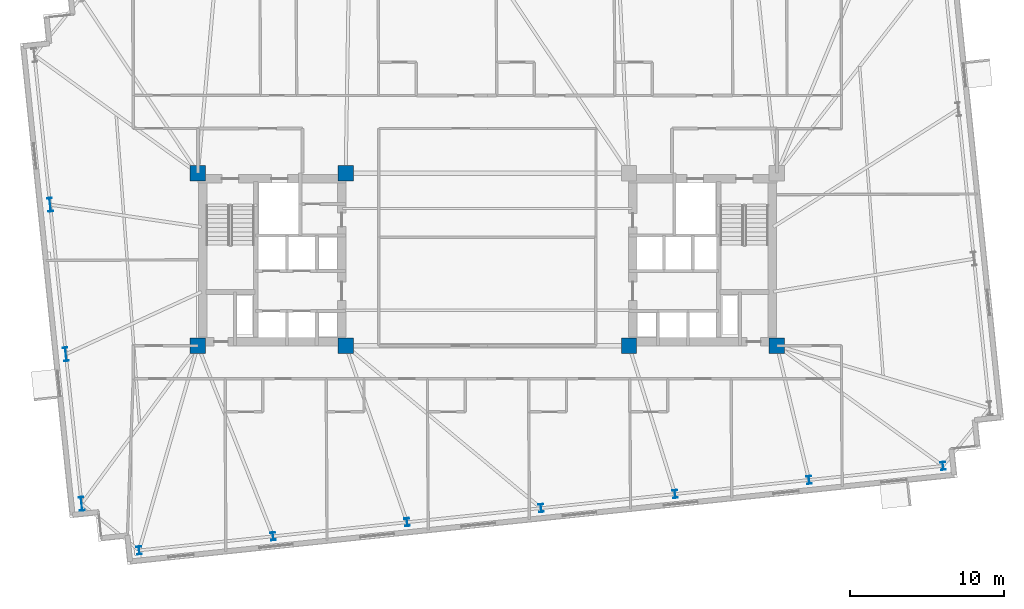
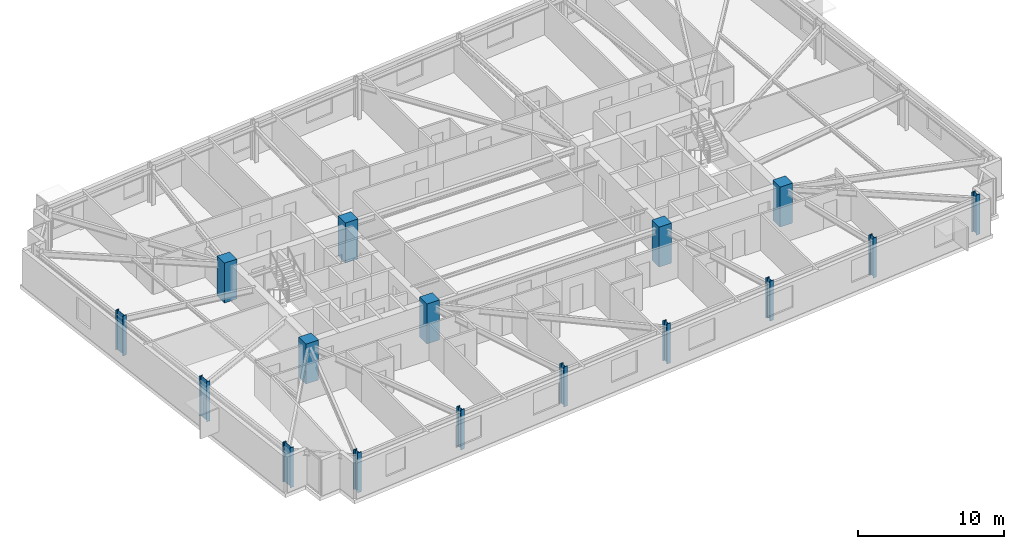
# One storey, part 1 of 19: 16 columns.
"""IFC4 building model written with IfcOpenShell, lengths in metres."""

from ifc_helpers import new_model, si_unit, direction, frame, origin, origin_2d, place, context, subcontext, project, spatial, rectangle, i_section, extrude, material, material_profile, profile_set, type_object, element, save


model = new_model("IFC4")

# Units and contexts
model_context = context("Model", 3, precision=1e-05, world=origin(), true_north=direction((0.0, 1.0)))
body_context = subcontext(model_context, "Body", "Model", "MODEL_VIEW")
ifc_project = project(units=[si_unit("LENGTHUNIT", "METRE"), si_unit("AREAUNIT", "SQUARE_METRE"), si_unit("VOLUMEUNIT", "CUBIC_METRE"), si_unit("PLANEANGLEUNIT", "RADIAN"), si_unit("MASSUNIT", "GRAM", prefix="KILO")], contexts=[model_context])

# Site, building, storey
site_placement = place(None, origin())
site = spatial("IfcSite", under=ifc_project, at=site_placement, CompositionType="ELEMENT")
building_placement = place(site_placement, origin())
building = spatial("IfcBuilding", under=site, at=building_placement, Name="Qobustan Lattice House", CompositionType="ELEMENT")
storey_placement = place(building_placement, frame((0.0, 0.0, 122.550048828125)))
storey = spatial("IfcBuildingStorey", under=building, at=storey_placement, Name="L34", CompositionType="ELEMENT", Elevation=122.550048828125)

# Columns
ifc_material_1 = material(Name="Concrete C60/75", Category="concrete")
ifc_material_profile_1 = material_profile(ifc_material_1, rectangle(XDim=1.0, YDim=1.0, at=origin_2d()), Name="RC1000x1000")
ifc_profile_set_1 = profile_set([ifc_material_profile_1], Name="Concrete C60/75")
column_type_1 = type_object("IfcColumnType", Name="COL-RC-1000", PredefinedType="COLUMN", material=ifc_profile_set_1)
for number, where, z_axis, x_axis, name in (
    (1, (-18.800048828125, -5.60009765625, 0.0), (0.0, 0.0, 1.0), (1.0, 0.0, 0.0), "L34 core mega-column CW-SW"),
    (2, (-18.800048828125, 5.60009765625, 0.0), (0.0, 0.0, 1.0), (1.0, 0.0, 0.0), "L34 core mega-column CW-NW"),
    (3, (-9.199951171875, -5.60009765625, 0.0), (0.0, 0.0, 1.0), (1.0, 0.0, 0.0), "L34 core mega-column CW-SE"),
    (4, (-9.199951171875, 5.60009765625, 0.0), (0.0, 0.0, 1.0), (1.0, 0.0, 0.0), "L34 core mega-column CW-NE"),
    (5, (9.199951171875, -5.60009765625, 0.0), (0.0, 0.0, 1.0), (1.0, 0.0, 0.0), "L34 core mega-column CE-SW"),
    (6, (18.800048828125, -5.60009765625, 0.0), (0.0, 0.0, 1.0), (1.0, 0.0, 0.0), "L34 core mega-column CE-SE"),
):
    element("IfcColumn", number, at=place(storey_placement, frame(where, z_axis=z_axis, x_axis=x_axis)), inside=storey, type_object=column_type_1, Name=name, PredefinedType="COLUMN", context=body_context, shape_type="SweptSolid", body=[
        extrude(rectangle(XDim=1.0, YDim=1.0, at=origin_2d()), origin(), (0.0, 0.0, 1.0), 3.349853515625),
    ])
ifc_material_2 = material(Name="Steel S355", Category="steel")
ifc_material_profile_2 = material_profile(ifc_material_2, i_section(OverallWidth=0.300048828125, OverallDepth=0.89990234375, WebThickness=0.0185546875, FlangeThickness=0.034912109375, FilletRadius=0.030029296875, at=origin_2d()), Name="HEB900")
ifc_profile_set_2 = profile_set([ifc_material_profile_2], Name="Steel S355")
column_type_2 = type_object("IfcColumnType", Name="COL-ST-HEB900", PredefinedType="COLUMN", material=ifc_profile_set_2)
for number, where, z_axis, x_axis, name in (
    (7, (-28.39794921875, 3.557373046875, 0.0), (0.0, 0.0, 1.0), (0.994521895368, 0.104528463268, 0.0), "L34 B2 perimeter column W2"),
    (8, (-27.377197265625, -6.156005859375, 0.0), (0.0, 0.0, 1.0), (0.994521895368, 0.104528463268, 0.0), "L34 B2 perimeter column W3"),
    (9, (-26.356201171875, -15.868896484375, 0.0), (0.0, 0.0, 1.0), (0.994521895368, 0.104528463268, 0.0), "L34 B2 perimeter column W4"),
):
    element("IfcColumn", number, at=place(storey_placement, frame(where, z_axis=z_axis, x_axis=x_axis)), inside=storey, type_object=column_type_2, Name=name, PredefinedType="COLUMN", context=body_context, shape_type="SweptSolid", body=[
        extrude(i_section(OverallWidth=0.300048828125, OverallDepth=0.89990234375, WebThickness=0.0185546875, FlangeThickness=0.034912109375, FilletRadius=0.030029296875, at=origin_2d()), origin(), (0.0, 0.0, 1.0), 3.349853515625),
    ])
ifc_material_3 = material(Name="Steel S355", Category="steel")
ifc_material_profile_3 = material_profile(ifc_material_3, i_section(OverallWidth=0.305908203125, OverallDepth=0.52392578125, WebThickness=0.02099609375, FlangeThickness=0.0400390625, FilletRadius=0.027099609375, at=origin_2d()), Name="HEM500")
ifc_profile_set_3 = profile_set([ifc_material_profile_3], Name="Steel S355")
column_type_3 = type_object("IfcColumnType", Name="COL-ST-HEM500", PredefinedType="COLUMN", material=ifc_profile_set_3)
for number, where, z_axis, x_axis, name in (
    (10, (-22.619384765625, -18.89501953125, 0.0), (0.0, 0.0, 1.0), (0.994521895368, 0.104528463268, 0.0), "L34 B2 perimeter column S1"),
    (11, (-13.91748046875, -17.98046875, 0.0), (0.0, 0.0, 1.0), (0.994521895368, 0.104528463268, 0.0), "L34 B2 perimeter column S2"),
    (12, (-5.21533203125, -17.065673828125, 0.0), (0.0, 0.0, 1.0), (0.994521895368, 0.104528463268, 0.0), "L34 B2 perimeter column S3"),
    (13, (3.48681640625, -16.151123046875, 0.0), (0.0, 0.0, 1.0), (0.994521895368, 0.104528463268, 0.0), "L34 B2 perimeter column S4"),
    (14, (12.188720703125, -15.236572265625, 0.0), (0.0, 0.0, 1.0), (0.994521895368, 0.104528463268, 0.0), "L34 B2 perimeter column S5"),
    (15, (20.890869140625, -14.322021484375, 0.0), (0.0, 0.0, 1.0), (0.994521895368, 0.104528463268, 0.0), "L34 B2 perimeter column S6"),
    (16, (29.593017578125, -13.4072265625, 0.0), (0.0, 0.0, 1.0), (0.994521895368, 0.104528463268, 0.0), "L34 B2 perimeter column S7"),
):
    element("IfcColumn", number, at=place(storey_placement, frame(where, z_axis=z_axis, x_axis=x_axis)), inside=storey, type_object=column_type_3, Name=name, PredefinedType="COLUMN", context=body_context, shape_type="SweptSolid", body=[
        extrude(i_section(OverallWidth=0.305908203125, OverallDepth=0.52392578125, WebThickness=0.02099609375, FlangeThickness=0.0400390625, FilletRadius=0.027099609375, at=origin_2d()), origin(), (0.0, 0.0, 1.0), 3.349853515625),
    ])

save(model, "model.ifc")
